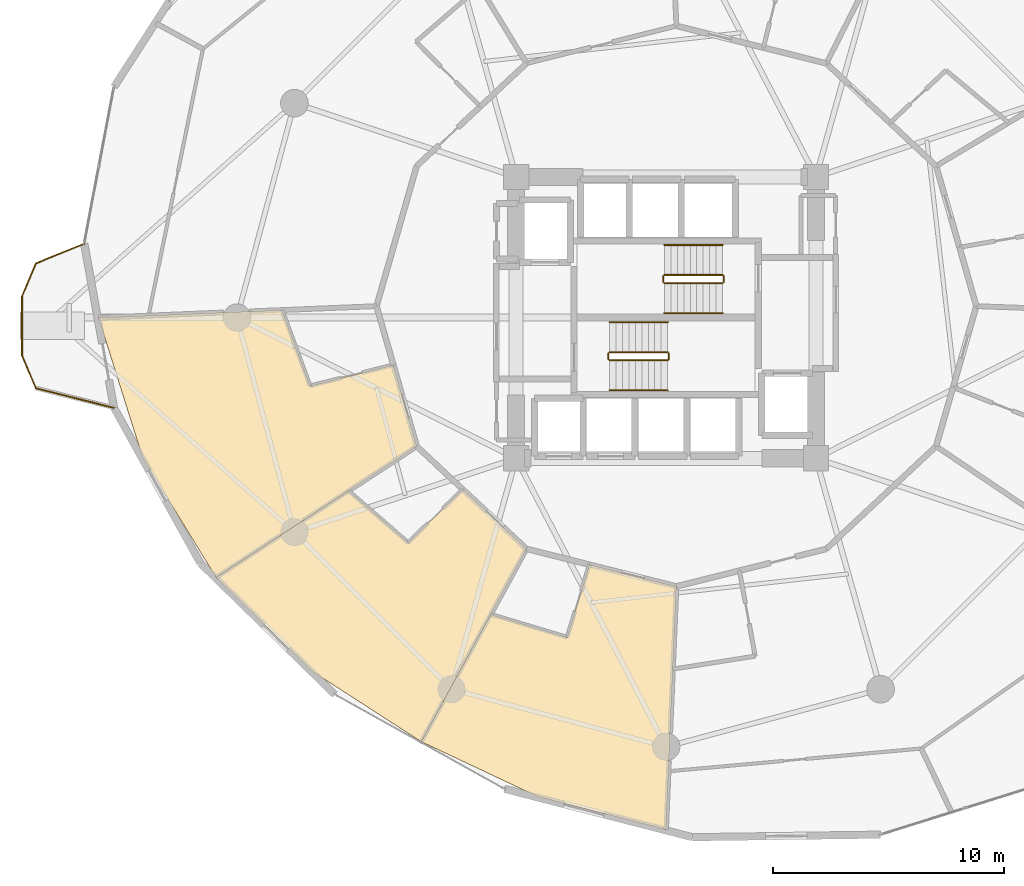
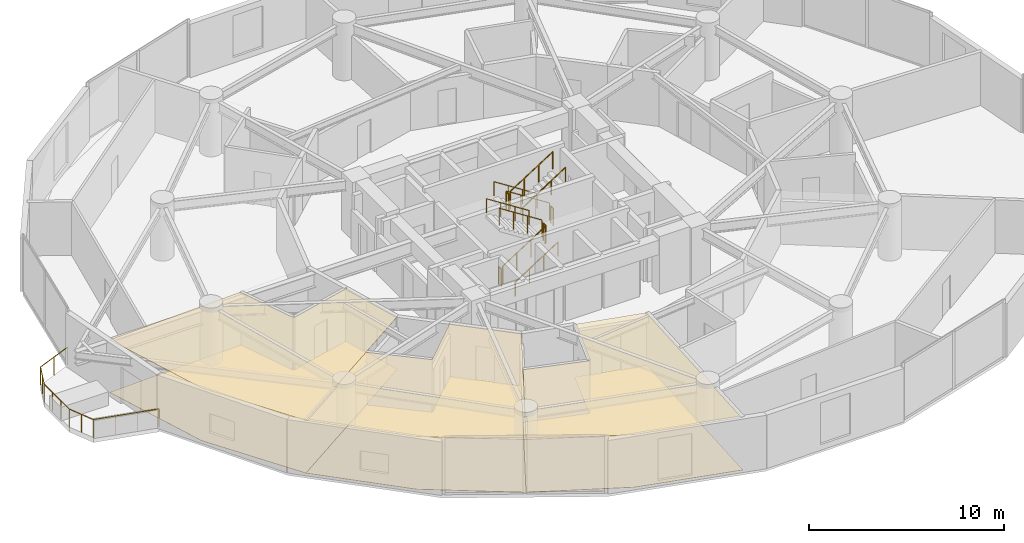
# One storey, part 21 of 22: 13 railings, 6 coverings.
"""IFC4 building model written with IfcOpenShell, lengths in metres."""

from ifc_helpers import new_model, si_unit, direction, frame, origin, origin_2d, place, context, subcontext, project, spatial, polyline, circle, outline, extrude, material, layer, layer_set, type_object, element, save


model = new_model("IFC4")

# Units and contexts
model_context = context("Model", 3, precision=1e-05, world=origin(), true_north=direction((0.0, 1.0)))
body_context = subcontext(model_context, "Body", "Model", "MODEL_VIEW")
ifc_project = project(units=[si_unit("LENGTHUNIT", "METRE"), si_unit("AREAUNIT", "SQUARE_METRE"), si_unit("VOLUMEUNIT", "CUBIC_METRE"), si_unit("PLANEANGLEUNIT", "RADIAN"), si_unit("MASSUNIT", "GRAM", prefix="KILO")], contexts=[model_context])

# Site, building, storey
site_placement = place(None, origin())
site = spatial("IfcSite", under=ifc_project, at=site_placement, CompositionType="ELEMENT")
building_placement = place(site_placement, origin())
building = spatial("IfcBuilding", under=site, at=building_placement, Name="Solvirekh Grand Hotel", CompositionType="ELEMENT")
storey_placement = place(building_placement, frame((0.0, 0.0, 78.800048828125)))
storey = spatial("IfcBuildingStorey", under=building, at=storey_placement, Name="L19", CompositionType="ELEMENT", Elevation=78.800048828125)

# Coverings
ifc_material_1 = material(Name="Acoustic Mineral Ceiling Tile")
ifc_layer_1 = layer(ifc_material_1, 0.02490234375)
ifc_layer_set_1 = layer_set([ifc_layer_1], Name="Acoustic Mineral Ceiling Tile")
covering_type_1 = type_object("IfcCoveringType", Name="Cov_Ceiling_Acoustic", PredefinedType="CEILING", material=ifc_layer_set_1)
covering_1_placement = place(storey_placement, frame((0.0, 0.0, 3.2900390625)))
element("IfcCovering", 1, at=covering_1_placement, inside=storey, type_object=covering_type_1, Name="L19 Deluxe Guestroom 2102 acoustic ceiling", PredefinedType="CEILING", context=body_context, shape_type="SweptSolid", body=[
    extrude(outline(polyline([(-15.43603515625, -2.9619140625), (-16.64697265625, 0.330078125), (-24.59912109375, 0.0), (-22.68310546875, -6.077880859375), (-19.50390625, -11.260986328125), (-10.80810546875, -5.574951171875), (-11.818115234375, -2.051025390625), (-15.43603515625, -2.9619140625)])), origin(), (0.0, 0.0, 1.0), 0.017822265625),
])
covering_2_placement = place(storey_placement, frame((0.0, 0.0, 3.2900390625)))
element("IfcCovering", 2, at=covering_2_placement, inside=storey, type_object=covering_type_1, Name="L19 Deluxe Guestroom 2103 acoustic ceiling", PredefinedType="CEILING", context=body_context, shape_type="SweptSolid", body=[
    extrude(outline(polyline([(-11.176025390625, -9.758056640625), (-13.764892578125, -7.508056640625), (-19.50390625, -11.260986328125), (-15.3310546875, -15.3310546875), (-10.611083984375, -18.37890625), (-6.050048828125, -10.02197265625), (-8.81005859375, -7.443115234375), (-11.176025390625, -9.758056640625)])), origin(), (0.0, 0.0, 1.0), 0.017822265625),
])
covering_3_placement = place(storey_placement, frame((0.0, 0.0, 3.2900390625)))
element("IfcCovering", 3, at=covering_3_placement, inside=storey, type_object=covering_type_1, Name="L19 Deluxe Guestroom 2104 acoustic ceiling", PredefinedType="CEILING", context=body_context, shape_type="SweptSolid", body=[
    extrude(outline(polyline([(-4.283935546875, -13.85888671875), (-7.60107421875, -12.863037109375), (-10.611083984375, -18.37890625), (-5.56298828125, -20.760986328125), (0.0, -22.19189453125), (0.449951171875, -11.64990234375), (-3.320068359375, -10.7060546875), (-4.283935546875, -13.85888671875)])), origin(), (0.0, 0.0, 1.0), 0.017822265625),
])
ifc_material_2 = material(Name="Porcelain Stoneware Flooring", Category="masonry")
ifc_layer_2 = layer(ifc_material_2, 0.030029296875)
ifc_layer_set_2 = layer_set([ifc_layer_2], Name="Porcelain Stoneware Flooring")
covering_type_2 = type_object("IfcCoveringType", Name="Cov_Floor_Stone", PredefinedType="FLOORING", material=ifc_layer_set_2)
covering_4_placement = place(storey_placement, origin())
element("IfcCovering", 4, at=covering_4_placement, inside=storey, type_object=covering_type_2, Name="L19 Deluxe Guestroom 2102 polished granite flooring", PredefinedType="FLOORING", context=body_context, shape_type="SweptSolid", body=[
    extrude(outline(polyline([(-15.43603515625, -2.9619140625), (-16.64697265625, 0.330078125), (-24.59912109375, 0.0), (-22.68310546875, -6.077880859375), (-19.50390625, -11.260986328125), (-10.80810546875, -5.574951171875), (-11.818115234375, -2.051025390625), (-15.43603515625, -2.9619140625)])), origin(), (0.0, 0.0, 1.0), 0.02001953125),
])
covering_5_placement = place(storey_placement, origin())
element("IfcCovering", 5, at=covering_5_placement, inside=storey, type_object=covering_type_2, Name="L19 Deluxe Guestroom 2103 polished granite flooring", PredefinedType="FLOORING", context=body_context, shape_type="SweptSolid", body=[
    extrude(outline(polyline([(-11.176025390625, -9.758056640625), (-13.764892578125, -7.508056640625), (-19.50390625, -11.260986328125), (-15.3310546875, -15.3310546875), (-10.611083984375, -18.37890625), (-6.050048828125, -10.02197265625), (-8.81005859375, -7.443115234375), (-11.176025390625, -9.758056640625)])), origin(), (0.0, 0.0, 1.0), 0.02001953125),
])
covering_6_placement = place(storey_placement, origin())
element("IfcCovering", 6, at=covering_6_placement, inside=storey, type_object=covering_type_2, Name="L19 Deluxe Guestroom 2104 polished granite flooring", PredefinedType="FLOORING", context=body_context, shape_type="SweptSolid", body=[
    extrude(outline(polyline([(-4.283935546875, -13.85888671875), (-7.60107421875, -12.863037109375), (-10.611083984375, -18.37890625), (-5.56298828125, -20.760986328125), (0.0, -22.19189453125), (0.449951171875, -11.64990234375), (-3.320068359375, -10.7060546875), (-4.283935546875, -13.85888671875)])), origin(), (0.0, 0.0, 1.0), 0.02001953125),
])

# Railings
ifc_material_3 = material(Name="Anodized Bronze Aluminium 6063-T6", Category="aluminium")
railing_type_1 = type_object("IfcRailingType", Name="Guard_ExtGlass_1150", PredefinedType="BALUSTRADE", material=ifc_material_3)
railing_1_placement = place(storey_placement, frame((-25.218994140625, 3.2060546875, 0.0)))
element("IfcRailing", 7, at=railing_1_placement, inside=storey, type_object=railing_type_1, Name="L19 horn perimeter glass balustrade", PredefinedType="BALUSTRADE", context=body_context, shape_type="SweptSolid", body=[
    extrude(circle(Radius=0.02392578125, at=origin_2d()), frame((0.0, 0.0, 1.1259765625), z_axis=(-0.926337440729, -0.3766947649, 0.0), x_axis=(0.3766947649, -0.926337440729, 0.0)), (0.0, 0.0, 1.0), 2.26708984375),
    extrude(circle(Radius=0.02392578125, at=origin_2d()), frame((-2.10009765625, -0.85400390625, 1.1259765625), z_axis=(-0.388191197886, -0.921578859287, 0.0), x_axis=(0.921578859287, -0.388191197886, 0.0)), (0.0, 0.0, 1.0), 1.545166015625),
    extrude(circle(Radius=0.02392578125, at=origin_2d()), frame((-2.699951171875, -2.278076171875, 1.1259765625), z_axis=(0.0, -1.0, 0.0), x_axis=(1.0, 0.0, 0.0)), (0.0, 0.0, 1.0), 2.56201171875),
    extrude(circle(Radius=0.02392578125, at=origin_2d()), frame((-2.699951171875, -4.840087890625, 1.1259765625), z_axis=(0.388191197886, -0.921578859287, 0.0), x_axis=(0.921578859287, 0.388191197886, 0.0)), (0.0, 0.0, 1.0), 1.545166015625),
    extrude(circle(Radius=0.02392578125, at=origin_2d()), frame((-2.10009765625, -6.26416015625, 1.1259765625), z_axis=(0.969672141927, -0.244409363918, 0.0), x_axis=(0.244409363918, 0.969672141927, 0.0)), (0.0, 0.0, 1.0), 3.494140625),
    extrude(circle(Radius=0.02099609375, at=origin_2d()), origin(), (0.0, 0.0, 1.0), 1.101806640625),
    extrude(circle(Radius=0.02099609375, at=origin_2d()), frame((-1.050048828125, -0.427001953125, 0.0)), (0.0, 0.0, 1.0), 1.101806640625),
    extrude(circle(Radius=0.02099609375, at=origin_2d()), frame((-2.10009765625, -0.85400390625, 0.0)), (0.0, 0.0, 1.0), 1.101806640625),
    extrude(circle(Radius=0.02099609375, at=origin_2d()), frame((-2.39990234375, -1.56591796875, 0.0)), (0.0, 0.0, 1.0), 1.101806640625),
    extrude(circle(Radius=0.02099609375, at=origin_2d()), frame((-2.699951171875, -2.278076171875, 0.0)), (0.0, 0.0, 1.0), 1.101806640625),
    extrude(circle(Radius=0.02099609375, at=origin_2d()), frame((-2.699951171875, -3.132080078125, 0.0)), (0.0, 0.0, 1.0), 1.101806640625),
    extrude(circle(Radius=0.02099609375, at=origin_2d()), frame((-2.699951171875, -3.986083984375, 0.0)), (0.0, 0.0, 1.0), 1.101806640625),
    extrude(circle(Radius=0.02099609375, at=origin_2d()), frame((-2.699951171875, -4.840087890625, 0.0)), (0.0, 0.0, 1.0), 1.101806640625),
    extrude(circle(Radius=0.02099609375, at=origin_2d()), frame((-2.39990234375, -5.55224609375, 0.0)), (0.0, 0.0, 1.0), 1.101806640625),
    extrude(circle(Radius=0.02099609375, at=origin_2d()), frame((-2.10009765625, -6.26416015625, 0.0)), (0.0, 0.0, 1.0), 1.101806640625),
    extrude(circle(Radius=0.02099609375, at=origin_2d()), frame((-0.970703125, -6.548828125, 0.0)), (0.0, 0.0, 1.0), 1.101806640625),
    extrude(circle(Radius=0.02099609375, at=origin_2d()), frame((0.15869140625, -6.83349609375, 0.0)), (0.0, 0.0, 1.0), 1.101806640625),
    extrude(circle(Radius=0.02099609375, at=origin_2d()), frame((1.2880859375, -7.1181640625, 0.0)), (0.0, 0.0, 1.0), 1.101806640625),
])
ifc_material_4 = material(Name="Steel S355", Category="steel")
railing_type_2 = type_object("IfcRailingType", Name="Guard_Stair_1100", PredefinedType="GUARDRAIL", material=ifc_material_4)
railing_2_placement = place(storey_placement, frame((-2.449951171875, -1.85009765625, 0.179931640625)))
element("IfcRailing", 8, at=railing_2_placement, inside=storey, type_object=railing_type_2, Name="L19 ST-1 stair guard 1", PredefinedType="GUARDRAIL", context=body_context, shape_type="SweptSolid", body=[
    extrude(circle(Radius=0.02392578125, at=origin_2d()), frame((0.0, 0.0, 1.076171875), z_axis=(0.841162588446, 0.0, 0.540782303519), x_axis=(0.0, 1.0, 0.0)), (0.0, 0.0, 1.0), 2.995849609375),
    extrude(circle(Radius=0.02099609375, at=origin_2d()), origin(), (0.0, 0.0, 1.0), 1.052001953125),
    extrude(circle(Radius=0.02099609375, at=origin_2d()), frame((0.840087890625, 0.0, 0.5400390625)), (0.0, 0.0, 1.0), 1.052001953125),
    extrude(circle(Radius=0.02099609375, at=origin_2d()), frame((1.679931640625, 0.0, 1.080078125)), (0.0, 0.0, 1.0), 1.052001953125),
    extrude(circle(Radius=0.02099609375, at=origin_2d()), frame((2.52001953125, 0.0, 1.6201171875)), (0.0, 0.0, 1.0), 1.052001953125),
])
railing_3_placement = place(storey_placement, frame((0.1201171875, -1.800048828125, 1.800048828125)))
element("IfcRailing", 9, at=railing_3_placement, inside=storey, type_object=railing_type_2, Name="L19 ST-1 stair guard 2", PredefinedType="GUARDRAIL", context=body_context, shape_type="SweptSolid", body=[
    extrude(circle(Radius=0.02392578125, at=origin_2d()), frame((0.0, 0.0, 1.076171875), z_axis=(0.0, 1.0, 0.0), x_axis=(-1.0, 0.0, 0.0)), (0.0, 0.0, 1.0), 0.25),
    extrude(circle(Radius=0.02099609375, at=origin_2d()), origin(), (0.0, 0.0, 1.0), 1.052001953125),
    extrude(circle(Radius=0.02099609375, at=origin_2d()), frame((0.0, 0.25, 0.0)), (0.0, 0.0, 1.0), 1.052001953125),
])
railing_4_placement = place(storey_placement, frame((0.070068359375, -1.5, 1.97998046875)))
element("IfcRailing", 10, at=railing_4_placement, inside=storey, type_object=railing_type_2, Name="L19 ST-1 stair guard 3", PredefinedType="GUARDRAIL", context=body_context, shape_type="SweptSolid", body=[
    extrude(circle(Radius=0.02392578125, at=origin_2d()), frame((0.0, 0.0, 1.076171875), z_axis=(-0.841199657755, 0.0, 0.540724639528), x_axis=(0.0, -1.0, 0.0)), (0.0, 0.0, 1.0), 2.995849609375),
    extrude(circle(Radius=0.02099609375, at=origin_2d()), origin(), (0.0, 0.0, 1.0), 1.052001953125),
    extrude(circle(Radius=0.02099609375, at=origin_2d()), frame((-0.840087890625, 0.0, 0.5400390625)), (0.0, 0.0, 1.0), 1.052001953125),
    extrude(circle(Radius=0.02099609375, at=origin_2d()), frame((-1.679931640625, 0.0, 1.079833984375)), (0.0, 0.0, 1.0), 1.052001953125),
    extrude(circle(Radius=0.02099609375, at=origin_2d()), frame((-2.52001953125, 0.0, 1.619873046875)), (0.0, 0.0, 1.0), 1.052001953125),
])
railing_5_placement = place(storey_placement, frame((-2.5, -1.800048828125, 0.0)))
element("IfcRailing", 11, at=railing_5_placement, inside=storey, type_object=railing_type_2, Name="L19 ST-1 stair guard 4", PredefinedType="GUARDRAIL", context=body_context, shape_type="SweptSolid", body=[
    extrude(circle(Radius=0.02392578125, at=origin_2d()), frame((0.0, 0.0, 1.076171875), z_axis=(0.0, 1.0, 0.0), x_axis=(-1.0, 0.0, 0.0)), (0.0, 0.0, 1.0), 0.25),
    extrude(circle(Radius=0.02099609375, at=origin_2d()), origin(), (0.0, 0.0, 1.0), 1.052001953125),
    extrude(circle(Radius=0.02099609375, at=origin_2d()), frame((0.0, 0.25, 0.0)), (0.0, 0.0, 1.0), 1.052001953125),
])
railing_6_placement = place(storey_placement, frame((2.449951171875, 1.85009765625, 0.179931640625)))
element("IfcRailing", 12, at=railing_6_placement, inside=storey, type_object=railing_type_2, Name="L19 ST-2 stair guard 1", PredefinedType="GUARDRAIL", context=body_context, shape_type="SweptSolid", body=[
    extrude(circle(Radius=0.02392578125, at=origin_2d()), frame((0.0, 0.0, 1.076171875), z_axis=(-0.841162588446, 0.0, 0.540782303519), x_axis=(0.0, -1.0, 0.0)), (0.0, 0.0, 1.0), 2.995849609375),
    extrude(circle(Radius=0.02099609375, at=origin_2d()), origin(), (0.0, 0.0, 1.0), 1.052001953125),
    extrude(circle(Radius=0.02099609375, at=origin_2d()), frame((-0.840087890625, 0.0, 0.5400390625)), (0.0, 0.0, 1.0), 1.052001953125),
    extrude(circle(Radius=0.02099609375, at=origin_2d()), frame((-1.679931640625, 0.0, 1.080078125)), (0.0, 0.0, 1.0), 1.052001953125),
    extrude(circle(Radius=0.02099609375, at=origin_2d()), frame((-2.52001953125, 0.0, 1.6201171875)), (0.0, 0.0, 1.0), 1.052001953125),
])
railing_7_placement = place(storey_placement, frame((-0.1201171875, 1.800048828125, 1.800048828125)))
element("IfcRailing", 13, at=railing_7_placement, inside=storey, type_object=railing_type_2, Name="L19 ST-2 stair guard 2", PredefinedType="GUARDRAIL", context=body_context, shape_type="SweptSolid", body=[
    extrude(circle(Radius=0.02392578125, at=origin_2d()), frame((0.0, 0.0, 1.076171875), z_axis=(0.0, -1.0, 0.0), x_axis=(1.0, 0.0, 0.0)), (0.0, 0.0, 1.0), 0.25),
    extrude(circle(Radius=0.02099609375, at=origin_2d()), origin(), (0.0, 0.0, 1.0), 1.052001953125),
    extrude(circle(Radius=0.02099609375, at=origin_2d()), frame((0.0, -0.25, 0.0)), (0.0, 0.0, 1.0), 1.052001953125),
])
railing_8_placement = place(storey_placement, frame((-0.070068359375, 1.5, 1.97998046875)))
element("IfcRailing", 14, at=railing_8_placement, inside=storey, type_object=railing_type_2, Name="L19 ST-2 stair guard 3", PredefinedType="GUARDRAIL", context=body_context, shape_type="SweptSolid", body=[
    extrude(circle(Radius=0.02392578125, at=origin_2d()), frame((0.0, 0.0, 1.076171875), z_axis=(0.841199657755, 0.0, 0.540724639528), x_axis=(0.0, 1.0, 0.0)), (0.0, 0.0, 1.0), 2.995849609375),
    extrude(circle(Radius=0.02099609375, at=origin_2d()), origin(), (0.0, 0.0, 1.0), 1.052001953125),
    extrude(circle(Radius=0.02099609375, at=origin_2d()), frame((0.840087890625, 0.0, 0.5400390625)), (0.0, 0.0, 1.0), 1.052001953125),
    extrude(circle(Radius=0.02099609375, at=origin_2d()), frame((1.679931640625, 0.0, 1.079833984375)), (0.0, 0.0, 1.0), 1.052001953125),
    extrude(circle(Radius=0.02099609375, at=origin_2d()), frame((2.52001953125, 0.0, 1.619873046875)), (0.0, 0.0, 1.0), 1.052001953125),
])
railing_9_placement = place(storey_placement, frame((2.5, 1.800048828125, 0.0)))
element("IfcRailing", 15, at=railing_9_placement, inside=storey, type_object=railing_type_2, Name="L19 ST-2 stair guard 4", PredefinedType="GUARDRAIL", context=body_context, shape_type="SweptSolid", body=[
    extrude(circle(Radius=0.02392578125, at=origin_2d()), frame((0.0, 0.0, 1.076171875), z_axis=(0.0, -1.0, 0.0), x_axis=(1.0, 0.0, 0.0)), (0.0, 0.0, 1.0), 0.25),
    extrude(circle(Radius=0.02099609375, at=origin_2d()), origin(), (0.0, 0.0, 1.0), 1.052001953125),
    extrude(circle(Radius=0.02099609375, at=origin_2d()), frame((0.0, -0.25, 0.0)), (0.0, 0.0, 1.0), 1.052001953125),
])
railing_type_3 = type_object("IfcRailingType", Name="Handrail_Wall_900", PredefinedType="HANDRAIL", material=ifc_material_3)
railing_10_placement = place(storey_placement, frame((-2.449951171875, -3.14990234375, 0.179931640625)))
element("IfcRailing", 16, at=railing_10_placement, inside=storey, type_object=railing_type_3, Name="L19 ST-1 stair handrail 1", PredefinedType="HANDRAIL", context=body_context, shape_type="SweptSolid", body=[
    extrude(circle(Radius=0.02392578125, at=origin_2d()), frame((0.0, 0.0, 0.8759765625), z_axis=(0.841162588446, 0.0, 0.540782303519), x_axis=(0.0, 1.0, 0.0)), (0.0, 0.0, 1.0), 2.995849609375),
    extrude(circle(Radius=0.02099609375, at=origin_2d()), origin(), (0.0, 0.0, 1.0), 0.851806640625),
    extrude(circle(Radius=0.02099609375, at=origin_2d()), frame((0.840087890625, 0.0, 0.5400390625)), (0.0, 0.0, 1.0), 0.851806640625),
    extrude(circle(Radius=0.02099609375, at=origin_2d()), frame((1.679931640625, 0.0, 1.080078125)), (0.0, 0.0, 1.0), 0.851806640625),
    extrude(circle(Radius=0.02099609375, at=origin_2d()), frame((2.52001953125, 0.0, 1.6201171875)), (0.0, 0.0, 1.0), 0.851806640625),
])
railing_11_placement = place(storey_placement, frame((0.070068359375, -0.199951171875, 1.97998046875)))
element("IfcRailing", 17, at=railing_11_placement, inside=storey, type_object=railing_type_3, Name="L19 ST-1 stair handrail 2", PredefinedType="HANDRAIL", context=body_context, shape_type="SweptSolid", body=[
    extrude(circle(Radius=0.02392578125, at=origin_2d()), frame((0.0, 0.0, 0.8759765625), z_axis=(-0.841199657755, 0.0, 0.540724639528), x_axis=(0.0, -1.0, 0.0)), (0.0, 0.0, 1.0), 2.995849609375),
    extrude(circle(Radius=0.02099609375, at=origin_2d()), origin(), (0.0, 0.0, 1.0), 0.851806640625),
    extrude(circle(Radius=0.02099609375, at=origin_2d()), frame((-0.840087890625, 0.0, 0.5400390625)), (0.0, 0.0, 1.0), 0.851806640625),
    extrude(circle(Radius=0.02099609375, at=origin_2d()), frame((-1.679931640625, 0.0, 1.079833984375)), (0.0, 0.0, 1.0), 0.851806640625),
    extrude(circle(Radius=0.02099609375, at=origin_2d()), frame((-2.52001953125, 0.0, 1.619873046875)), (0.0, 0.0, 1.0), 0.851806640625),
])
railing_12_placement = place(storey_placement, frame((2.449951171875, 3.14990234375, 0.179931640625)))
element("IfcRailing", 18, at=railing_12_placement, inside=storey, type_object=railing_type_3, Name="L19 ST-2 stair handrail 1", PredefinedType="HANDRAIL", context=body_context, shape_type="SweptSolid", body=[
    extrude(circle(Radius=0.02392578125, at=origin_2d()), frame((0.0, 0.0, 0.8759765625), z_axis=(-0.841162588446, 0.0, 0.540782303519), x_axis=(0.0, -1.0, 0.0)), (0.0, 0.0, 1.0), 2.995849609375),
    extrude(circle(Radius=0.02099609375, at=origin_2d()), origin(), (0.0, 0.0, 1.0), 0.851806640625),
    extrude(circle(Radius=0.02099609375, at=origin_2d()), frame((-0.840087890625, 0.0, 0.5400390625)), (0.0, 0.0, 1.0), 0.851806640625),
    extrude(circle(Radius=0.02099609375, at=origin_2d()), frame((-1.679931640625, 0.0, 1.080078125)), (0.0, 0.0, 1.0), 0.851806640625),
    extrude(circle(Radius=0.02099609375, at=origin_2d()), frame((-2.52001953125, 0.0, 1.6201171875)), (0.0, 0.0, 1.0), 0.851806640625),
])
railing_13_placement = place(storey_placement, frame((-0.070068359375, 0.199951171875, 1.97998046875)))
element("IfcRailing", 19, at=railing_13_placement, inside=storey, type_object=railing_type_3, Name="L19 ST-2 stair handrail 2", PredefinedType="HANDRAIL", context=body_context, shape_type="SweptSolid", body=[
    extrude(circle(Radius=0.02392578125, at=origin_2d()), frame((0.0, 0.0, 0.8759765625), z_axis=(0.841199657755, 0.0, 0.540724639528), x_axis=(0.0, 1.0, 0.0)), (0.0, 0.0, 1.0), 2.995849609375),
    extrude(circle(Radius=0.02099609375, at=origin_2d()), origin(), (0.0, 0.0, 1.0), 0.851806640625),
    extrude(circle(Radius=0.02099609375, at=origin_2d()), frame((0.840087890625, 0.0, 0.5400390625)), (0.0, 0.0, 1.0), 0.851806640625),
    extrude(circle(Radius=0.02099609375, at=origin_2d()), frame((1.679931640625, 0.0, 1.079833984375)), (0.0, 0.0, 1.0), 0.851806640625),
    extrude(circle(Radius=0.02099609375, at=origin_2d()), frame((2.52001953125, 0.0, 1.619873046875)), (0.0, 0.0, 1.0), 0.851806640625),
])

save(model, "model.ifc")
